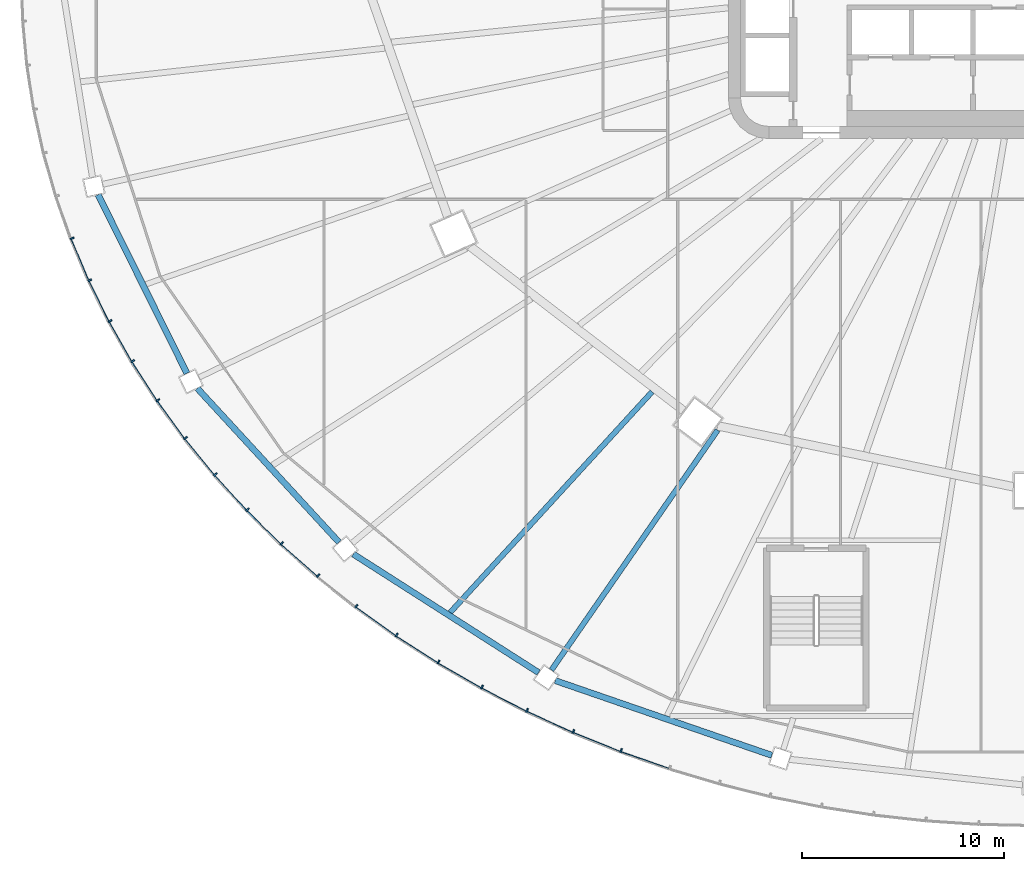
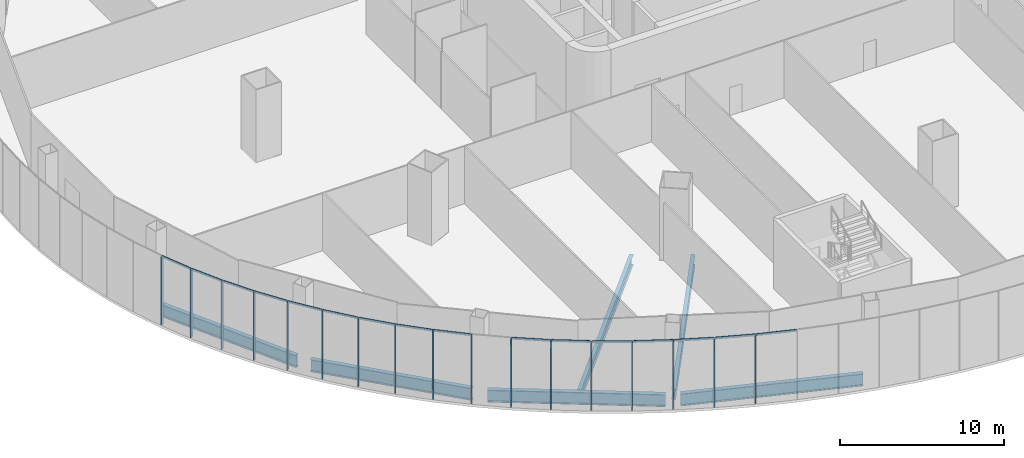
# One storey, part 2 of 42: 33 members, 6 beams, 4 elements without a shape of their own.
"""IFC4 building model written with IfcOpenShell, lengths in metres."""

from ifc_helpers import new_model, si_unit, direction, frame, origin, origin_2d, place, context, subcontext, project, spatial, rectangle, i_section, extrude, material, layer, layer_set, material_profile, profile_set, type_object, element, aggregate, save


model = new_model("IFC4")

# Units and contexts
model_context = context("Model", 3, precision=1e-05, world=origin(), true_north=direction((0.0, 1.0)))
body_context = subcontext(model_context, "Body", "Model", "MODEL_VIEW")
ifc_project = project(units=[si_unit("LENGTHUNIT", "METRE"), si_unit("AREAUNIT", "SQUARE_METRE"), si_unit("VOLUMEUNIT", "CUBIC_METRE"), si_unit("PLANEANGLEUNIT", "RADIAN"), si_unit("MASSUNIT", "GRAM", prefix="KILO")], contexts=[model_context])

# Site, building, storey
site_placement = place(None, origin())
site = spatial("IfcSite", under=ifc_project, at=site_placement, CompositionType="ELEMENT")
building_placement = place(site_placement, origin())
building = spatial("IfcBuilding", under=site, at=building_placement, Name="Sahrelin Media Tower", CompositionType="ELEMENT")
storey_placement = place(building_placement, frame((0.0, 0.0, 26.0)))
storey = spatial("IfcBuildingStorey", under=building, at=storey_placement, Name="L03", CompositionType="ELEMENT", Elevation=26.0)

# Curtain wall, members
ifc_material_1 = material(Name="Champagne anodised aluminium 6063-T6", Category="aluminium")
ifc_layer = layer(ifc_material_1, 0.14990234375)
ifc_layer_set = layer_set([ifc_layer], Name="Podium ribbon curtain wall")
curtain_wall_type = type_object("IfcCurtainWallType", Name="Podium ribbon curtain wall", PredefinedType="NOTDEFINED", material=ifc_layer_set)
curtain_wall_1_placement = place(storey_placement, frame((-48.29638671875, -10.870361328125, 0.0), z_axis=(0.0, 0.0, 1.0), x_axis=(1.0, 0.0, 0.0)))
curtain_wall_1 = element("IfcCurtainWall", 1, at=curtain_wall_1_placement, inside=storey, type_object=curtain_wall_type, Name="L03:CW:L03-P13", PredefinedType="NOTDEFINED")
ifc_material_profile_1 = material_profile(ifc_material_1, rectangle(XDim=0.080078125, YDim=0.199951171875, at=origin_2d()), Name="Mullion 80x200")
ifc_profile_set_1 = profile_set([ifc_material_profile_1], Name="Champagne anodised aluminium 6063-T6")
member_type_1 = type_object("IfcMemberType", Name="Mullion 80x200 CW5", PredefinedType="MULLION", material=ifc_profile_set_1)
member_1_placement = place(storey_placement, frame((-47.442138671875, -12.93212890625, 0.0), z_axis=(0.0, 0.0, 1.0), x_axis=(0.388450189752, -0.921469722824, 0.0)))
member_1 = element("IfcMember", 2, at=member_1_placement, type_object=member_type_1, Name="L03:CWM2:L03-P13", PredefinedType="MULLION", context=body_context, shape_type="SweptSolid", body=[
    extrude(rectangle(XDim=0.080078125, YDim=0.199951171875, at=origin_2d()), origin(), (0.0, 0.0, 1.0), 5.050048828125),
])
member_2_placement = place(storey_placement, frame((-46.5712890625, -14.998291015625, 0.0), z_axis=(0.0, 0.0, 1.0), x_axis=(0.442262079274, -0.896885864108, 0.0)))
member_2 = element("IfcMember", 3, at=member_2_placement, type_object=member_type_1, Name="L03:CWM3:L03-P13", PredefinedType="MULLION", context=body_context, shape_type="SweptSolid", body=[
    extrude(rectangle(XDim=0.080078125, YDim=0.199951171875, at=origin_2d()), origin(), (0.0, 0.0, 1.0), 5.050048828125),
])
member_3_placement = place(storey_placement, frame((-45.572998046875, -17.023681640625, 0.0), z_axis=(0.0, 0.0, 1.0), x_axis=(0.493787068155, -0.869582849028, 0.0)))
member_3 = element("IfcMember", 4, at=member_3_placement, type_object=member_type_1, Name="L03:CWM4:L03-P13", PredefinedType="MULLION", context=body_context, shape_type="SweptSolid", body=[
    extrude(rectangle(XDim=0.080078125, YDim=0.199951171875, at=origin_2d()), origin(), (0.0, 0.0, 1.0), 5.050048828125),
])
member_4_placement = place(storey_placement, frame((-44.449462890625, -19.00244140625, 0.0), z_axis=(0.0, 0.0, 1.0), x_axis=(0.542830032192, -0.839842578196, 0.0)))
member_4 = element("IfcMember", 5, at=member_4_placement, type_object=member_type_1, Name="L03:CWM5:L03-P13", PredefinedType="MULLION", context=body_context, shape_type="SweptSolid", body=[
    extrude(rectangle(XDim=0.080078125, YDim=0.199951171875, at=origin_2d()), origin(), (0.0, 0.0, 1.0), 5.050048828125),
])

curtain_wall_2_placement = place(storey_placement, frame((-43.30126953125, -21.0, 0.0), z_axis=(0.0, 0.0, 1.0), x_axis=(1.0, 0.0, 0.0)))
curtain_wall_2 = element("IfcCurtainWall", 6, at=curtain_wall_2_placement, inside=storey, type_object=curtain_wall_type, Name="L03:CW:L03-P14", PredefinedType="NOTDEFINED")
member_5_placement = place(storey_placement, frame((-43.204345703125, -20.92919921875, 0.0), z_axis=(0.0, 0.0, 1.0), x_axis=(0.589385309161, -0.807852064022, 0.0)))
member_5 = element("IfcMember", 7, at=member_5_placement, type_object=member_type_1, Name="L03:CWM1:L03-P14", PredefinedType="MULLION", context=body_context, shape_type="SweptSolid", body=[
    extrude(rectangle(XDim=0.080078125, YDim=0.199951171875, at=origin_2d()), origin(), (0.0, 0.0, 1.0), 5.050048828125),
])
member_6_placement = place(storey_placement, frame((-41.840576171875, -22.798828125, 0.0), z_axis=(0.0, 0.0, 1.0), x_axis=(0.633234995933, -0.77395958546, 0.0)))
member_6 = element("IfcMember", 8, at=member_6_placement, type_object=member_type_1, Name="L03:CWM2:L03-P14", PredefinedType="MULLION", context=body_context, shape_type="SweptSolid", body=[
    extrude(rectangle(XDim=0.080078125, YDim=0.199951171875, at=origin_2d()), origin(), (0.0, 0.0, 1.0), 5.050048828125),
])
member_7_placement = place(storey_placement, frame((-40.3623046875, -24.606201171875, 0.0), z_axis=(0.0, 0.0, 1.0), x_axis=(0.67442997344, -0.738338818514, 0.0)))
member_7 = element("IfcMember", 9, at=member_7_placement, type_object=member_type_1, Name="L03:CWM3:L03-P14", PredefinedType="MULLION", context=body_context, shape_type="SweptSolid", body=[
    extrude(rectangle(XDim=0.080078125, YDim=0.199951171875, at=origin_2d()), origin(), (0.0, 0.0, 1.0), 5.050048828125),
])
member_8_placement = place(storey_placement, frame((-38.773193359375, -26.345947265625, 0.0), z_axis=(0.0, 0.0, 1.0), x_axis=(0.712973923933, -0.70119054742, 0.0)))
member_8 = element("IfcMember", 10, at=member_8_placement, type_object=member_type_1, Name="L03:CWM4:L03-P14", PredefinedType="MULLION", context=body_context, shape_type="SweptSolid", body=[
    extrude(rectangle(XDim=0.080078125, YDim=0.199951171875, at=origin_2d()), origin(), (0.0, 0.0, 1.0), 5.050048828125),
])
member_9_placement = place(storey_placement, frame((-37.07763671875, -28.013671875, 0.0), z_axis=(0.0, 0.0, 1.0), x_axis=(0.748788005735, -0.662809567272, 0.0)))
member_9 = element("IfcMember", 11, at=member_9_placement, type_object=member_type_1, Name="L03:CWM5:L03-P14", PredefinedType="MULLION", context=body_context, shape_type="SweptSolid", body=[
    extrude(rectangle(XDim=0.080078125, YDim=0.199951171875, at=origin_2d()), origin(), (0.0, 0.0, 1.0), 5.050048828125),
])

curtain_wall_3_placement = place(storey_placement, frame((-35.355224609375, -29.698486328125, 0.0), z_axis=(0.0, 0.0, 1.0), x_axis=(1.0, 0.0, 0.0)))
curtain_wall_3 = element("IfcCurtainWall", 12, at=curtain_wall_3_placement, inside=storey, type_object=curtain_wall_type, Name="L03:CW:L03-P15", PredefinedType="NOTDEFINED")
member_10_placement = place(storey_placement, frame((-35.280517578125, -29.604736328125, 0.0), z_axis=(0.0, 0.0, 1.0), x_axis=(0.781960183728, -0.623328381405, 0.0)))
member_10 = element("IfcMember", 13, at=member_10_placement, type_object=member_type_1, Name="L03:CWM1:L03-P15", PredefinedType="MULLION", context=body_context, shape_type="SweptSolid", body=[
    extrude(rectangle(XDim=0.080078125, YDim=0.199951171875, at=origin_2d()), origin(), (0.0, 0.0, 1.0), 5.050048828125),
])
member_11_placement = place(storey_placement, frame((-33.38671875, -31.114501953125, 0.0), z_axis=(0.0, 0.0, 1.0), x_axis=(0.812532432251, -0.582915985834, 0.0)))
member_11 = element("IfcMember", 14, at=member_11_placement, type_object=member_type_1, Name="L03:CWM2:L03-P15", PredefinedType="MULLION", context=body_context, shape_type="SweptSolid", body=[
    extrude(rectangle(XDim=0.080078125, YDim=0.199951171875, at=origin_2d()), origin(), (0.0, 0.0, 1.0), 5.050048828125),
])
member_12_placement = place(storey_placement, frame((-31.40087890625, -32.539306640625, 0.0), z_axis=(0.0, 0.0, 1.0), x_axis=(0.840519327336, -0.541781561494, 0.0)))
member_12 = element("IfcMember", 15, at=member_12_placement, type_object=member_type_1, Name="L03:CWM3:L03-P15", PredefinedType="MULLION", context=body_context, shape_type="SweptSolid", body=[
    extrude(rectangle(XDim=0.080078125, YDim=0.199951171875, at=origin_2d()), origin(), (0.0, 0.0, 1.0), 5.050048828125),
])
member_13_placement = place(storey_placement, frame((-29.329345703125, -33.874755859375, 0.0), z_axis=(0.0, 0.0, 1.0), x_axis=(0.866028894422, -0.49999395399, 0.0)))
member_13 = element("IfcMember", 16, at=member_13_placement, type_object=member_type_1, Name="L03:CWM4:L03-P15", PredefinedType="MULLION", context=body_context, shape_type="SweptSolid", body=[
    extrude(rectangle(XDim=0.080078125, YDim=0.199951171875, at=origin_2d()), origin(), (0.0, 0.0, 1.0), 5.050048828125),
])
member_14_placement = place(storey_placement, frame((-27.177001953125, -35.117431640625, 0.0), z_axis=(0.0, 0.0, 1.0), x_axis=(0.889123403251, -0.457667536309, 0.0)))
member_14 = element("IfcMember", 17, at=member_14_placement, type_object=member_type_1, Name="L03:CWM5:L03-P15", PredefinedType="MULLION", context=body_context, shape_type="SweptSolid", body=[
    extrude(rectangle(XDim=0.080078125, YDim=0.199951171875, at=origin_2d()), origin(), (0.0, 0.0, 1.0), 5.050048828125),
])

curtain_wall_4_placement = place(storey_placement, frame((-25.0, -36.373046875, 0.0), z_axis=(0.0, 0.0, 1.0), x_axis=(1.0, 0.0, 0.0)))
curtain_wall_4 = element("IfcCurtainWall", 18, at=curtain_wall_4_placement, inside=storey, type_object=curtain_wall_type, Name="L03:CW:L03-P16", PredefinedType="NOTDEFINED")
member_15_placement = place(storey_placement, frame((-24.9501953125, -36.263916015625, 0.0), z_axis=(0.0, 0.0, 1.0), x_axis=(0.909841810065, -0.414955275491, 0.0)))
member_15 = element("IfcMember", 19, at=member_15_placement, type_object=member_type_1, Name="L03:CWM1:L03-P16", PredefinedType="MULLION", context=body_context, shape_type="SweptSolid", body=[
    extrude(rectangle(XDim=0.080078125, YDim=0.199951171875, at=origin_2d()), origin(), (0.0, 0.0, 1.0), 5.050048828125),
])
member_16_placement = place(storey_placement, frame((-22.65478515625, -37.310791015625, 0.0), z_axis=(0.0, 0.0, 1.0), x_axis=(0.928270482181, -0.371905783648, 0.0)))
member_16 = element("IfcMember", 20, at=member_16_placement, type_object=member_type_1, Name="L03:CWM2:L03-P16", PredefinedType="MULLION", context=body_context, shape_type="SweptSolid", body=[
    extrude(rectangle(XDim=0.080078125, YDim=0.199951171875, at=origin_2d()), origin(), (0.0, 0.0, 1.0), 5.050048828125),
])
member_17_placement = place(storey_placement, frame((-20.29736328125, -38.255615234375, 0.0), z_axis=(0.0, 0.0, 1.0), x_axis=(0.944458420046, -0.328630937077, 0.0)))
member_17 = element("IfcMember", 21, at=member_17_placement, type_object=member_type_1, Name="L03:CWM3:L03-P16", PredefinedType="MULLION", context=body_context, shape_type="SweptSolid", body=[
    extrude(rectangle(XDim=0.080078125, YDim=0.199951171875, at=origin_2d()), origin(), (0.0, 0.0, 1.0), 5.050048828125),
])

# Beams
ifc_material_2 = material(Name="Steel S355", Category="steel")
ifc_material_profile_2 = material_profile(ifc_material_2, i_section(OverallWidth=0.30322265625, OverallDepth=0.903076171875, WebThickness=0.01513671875, FlangeThickness=0.020263671875, FilletRadius=0.01904296875, at=origin_2d()), Name="UB 914x305x201")
ifc_profile_set_2 = profile_set([ifc_material_profile_2], Name="Steel S355")
beam_type_1 = type_object("IfcBeamType", Name="Podium edge girder PE11", PredefinedType="BEAM", material=ifc_profile_set_2)
beam_1_placement = place(storey_placement, frame((-46.158203125, -10.767822265625, -0.651611328125), z_axis=(0.445112588569, -0.895474613541, 0.0), x_axis=(0.895474613541, 0.445112588569, 0.0)))
element("IfcBeam", 22, at=beam_1_placement, inside=storey, type_object=beam_type_1, Name="Podium edge girder L03-14", PredefinedType="BEAM", context=body_context, shape_type="SweptSolid", body=[
    extrude(i_section(OverallWidth=0.30322265625, OverallDepth=0.903076171875, WebThickness=0.01513671875, FlangeThickness=0.020263671875, FilletRadius=0.01904296875, at=origin_2d()), origin(), (0.0, 0.0, 1.0), 9.859619140625),
])
beam_2_placement = place(storey_placement, frame((-41.25048828125, -20.34619140625, -0.651611328125), z_axis=(0.677370529771, -0.735642008995, 0.0), x_axis=(0.735642008995, 0.677370529771, 0.0)))
element("IfcBeam", 23, at=beam_2_placement, inside=storey, type_object=beam_type_1, Name="Podium edge girder L03-15", PredefinedType="BEAM", context=body_context, shape_type="SweptSolid", body=[
    extrude(i_section(OverallWidth=0.30322265625, OverallDepth=0.903076171875, WebThickness=0.01513671875, FlangeThickness=0.020263671875, FilletRadius=0.01904296875, at=origin_2d()), origin(), (0.0, 0.0, 1.0), 10.340087890625),
])
beam_3_placement = place(storey_placement, frame((-33.54345703125, -28.53857421875, -0.651611328125), z_axis=(0.842485743715, -0.538718638657, 0.0), x_axis=(0.538718638657, 0.842485743715, 0.0)))
element("IfcBeam", 24, at=beam_3_placement, inside=storey, type_object=beam_type_1, Name="Podium edge girder L03-16", PredefinedType="BEAM", context=body_context, shape_type="SweptSolid", body=[
    extrude(i_section(OverallWidth=0.30322265625, OverallDepth=0.903076171875, WebThickness=0.01513671875, FlangeThickness=0.020263671875, FilletRadius=0.01904296875, at=origin_2d()), origin(), (0.0, 0.0, 1.0), 10.87744140625),
])
beam_4_placement = place(storey_placement, frame((-23.55810546875, -34.79345703125, -0.651611328125), z_axis=(0.94527240249, -0.32628221694, 0.0), x_axis=(0.32628221694, 0.94527240249, 0.0)))
element("IfcBeam", 25, at=beam_4_placement, inside=storey, type_object=beam_type_1, Name="Podium edge girder L03-17", PredefinedType="BEAM", context=body_context, shape_type="SweptSolid", body=[
    extrude(i_section(OverallWidth=0.30322265625, OverallDepth=0.903076171875, WebThickness=0.01513671875, FlangeThickness=0.020263671875, FilletRadius=0.01904296875, at=origin_2d()), origin(), (0.0, 0.0, 1.0), 11.329345703125),
])
ifc_material_profile_3 = material_profile(ifc_material_2, i_section(OverallWidth=0.26513671875, OverallDepth=0.75390625, WebThickness=0.0126953125, FlangeThickness=0.017578125, FilletRadius=0.0166015625, at=origin_2d()), Name="UB 762x267x147")
ifc_profile_set_3 = profile_set([ifc_material_profile_3], Name="Steel S355")
beam_type_2 = type_object("IfcBeamType", Name="Radial primary beam PB9", PredefinedType="BEAM", material=ifc_profile_set_3)
beam_5_placement = place(storey_placement, frame((-15.527099609375, -22.411376953125, -0.576904296875), z_axis=(-0.569493278726, -0.821995988729, 0.0), x_axis=(0.821995988729, -0.569493278726, 0.0)))
element("IfcBeam", 26, at=beam_5_placement, inside=storey, type_object=beam_type_2, Name="Radial beam L03-19", PredefinedType="BEAM", context=body_context, shape_type="SweptSolid", body=[
    extrude(i_section(OverallWidth=0.26513671875, OverallDepth=0.75390625, WebThickness=0.0126953125, FlangeThickness=0.017578125, FilletRadius=0.0166015625, at=origin_2d()), origin(), (0.0, 0.0, 1.0), 14.427734375),
])
ifc_material_profile_4 = material_profile(ifc_material_2, i_section(OverallWidth=0.26513671875, OverallDepth=0.75390625, WebThickness=0.0126953125, FlangeThickness=0.017578125, FilletRadius=0.0166015625, at=origin_2d()), Name="UB 762x267x147")
ifc_profile_set_4 = profile_set([ifc_material_profile_4], Name="Steel S355")
beam_type_3 = type_object("IfcBeamType", Name="Radial secondary beam SB9", PredefinedType="BEAM", material=ifc_profile_set_4)
beam_6_placement = place(storey_placement, frame((-18.7685546875, -20.514892578125, -0.576904296875), z_axis=(-0.675004282666, -0.737813810106, 0.0), x_axis=(0.737813810106, -0.675004282666, 0.0)))
element("IfcBeam", 27, at=beam_6_placement, inside=storey, type_object=beam_type_3, Name="Secondary beam L03-16", PredefinedType="BEAM", context=body_context, shape_type="SweptSolid", body=[
    extrude(i_section(OverallWidth=0.26513671875, OverallDepth=0.75390625, WebThickness=0.0126953125, FlangeThickness=0.017578125, FilletRadius=0.0166015625, at=origin_2d()), origin(), (0.0, 0.0, 1.0), 14.7861328125),
])

# Member
ifc_material_profile_5 = material_profile(ifc_material_1, rectangle(XDim=0.06005859375, YDim=0.14990234375, at=origin_2d()), Name="Transom 60x150")
ifc_profile_set_5 = profile_set([ifc_material_profile_5], Name="Champagne anodised aluminium 6063-T6")
member_type_2 = type_object("IfcMemberType", Name="Transom 60x150 CW5", PredefinedType="USERDEFINED", material=ifc_profile_set_5)
member_18_placement = place(storey_placement, frame((-47.4873046875, -13.00537109375, 5.125), z_axis=(0.388513504785, -0.921443029492, 0.0), x_axis=(0.921443029492, 0.388513504785, 0.0)))
member_18 = element("IfcMember", 28, at=member_18_placement, type_object=member_type_2, Name="L03:CWT2a:L03-P13", ObjectType="TRANSOM", PredefinedType="USERDEFINED", context=body_context, shape_type="SweptSolid", body=[
    extrude(rectangle(XDim=0.06005859375, YDim=0.14990234375, at=origin_2d()), origin(), (0.0, 0.0, 1.0), 2.199462890625),
])

member_19_placement = place(storey_placement, frame((-46.612060546875, -15.07421875, 5.125), z_axis=(0.442224467513, -0.896904409808, 0.0), x_axis=(0.896904409808, 0.442224467513, 0.0)))
member_19 = element("IfcMember", 29, at=member_19_placement, type_object=member_type_2, Name="L03:CWT3a:L03-P13", ObjectType="TRANSOM", PredefinedType="USERDEFINED", context=body_context, shape_type="SweptSolid", body=[
    extrude(rectangle(XDim=0.06005859375, YDim=0.14990234375, at=origin_2d()), origin(), (0.0, 0.0, 1.0), 2.21484375),
])

member_20_placement = place(storey_placement, frame((-45.609130859375, -17.101806640625, 5.125), z_axis=(0.493793305481, -0.869579307172, 0.0), x_axis=(0.869579307172, 0.493793305481, 0.0)))
member_20 = element("IfcMember", 30, at=member_20_placement, type_object=member_type_2, Name="L03:CWT4a:L03-P13", ObjectType="TRANSOM", PredefinedType="USERDEFINED", context=body_context, shape_type="SweptSolid", body=[
    extrude(rectangle(XDim=0.06005859375, YDim=0.14990234375, at=origin_2d()), origin(), (0.0, 0.0, 1.0), 2.232421875),
])

member_21_placement = place(storey_placement, frame((-44.481201171875, -19.08251953125, 5.125), z_axis=(0.542855461476, -0.8398261415, 0.0), x_axis=(0.8398261415, 0.542855461476, 0.0)))
member_21 = element("IfcMember", 31, at=member_21_placement, type_object=member_type_2, Name="L03:CWT5a:L03-P13", ObjectType="TRANSOM", PredefinedType="USERDEFINED", context=body_context, shape_type="SweptSolid", body=[
    extrude(rectangle(XDim=0.06005859375, YDim=0.14990234375, at=origin_2d()), origin(), (0.0, 0.0, 1.0), 2.2509765625),
])

aggregate(curtain_wall_1, [member_1, member_18, member_2, member_19, member_3, member_20, member_4, member_21])

member_22_placement = place(storey_placement, frame((-43.2314453125, -21.010986328125, 5.125), z_axis=(0.589436833423, -0.807814470906, 0.0), x_axis=(0.807814470906, 0.589436833423, 0.0)))
member_22 = element("IfcMember", 32, at=member_22_placement, type_object=member_type_2, Name="L03:CWT1a:L03-P14", ObjectType="TRANSOM", PredefinedType="USERDEFINED", context=body_context, shape_type="SweptSolid", body=[
    extrude(rectangle(XDim=0.06005859375, YDim=0.14990234375, at=origin_2d()), origin(), (0.0, 0.0, 1.0), 2.2705078125),
])

member_23_placement = place(storey_placement, frame((-41.863037109375, -22.8818359375, 5.125), z_axis=(0.633220383586, -0.773971540698, 0.0), x_axis=(0.773971540698, 0.633220383586, 0.0)))
member_23 = element("IfcMember", 33, at=member_23_placement, type_object=member_type_2, Name="L03:CWT2a:L03-P14", ObjectType="TRANSOM", PredefinedType="USERDEFINED", context=body_context, shape_type="SweptSolid", body=[
    extrude(rectangle(XDim=0.06005859375, YDim=0.14990234375, at=origin_2d()), origin(), (0.0, 0.0, 1.0), 2.291259765625),
])

member_24_placement = place(storey_placement, frame((-40.380126953125, -24.690185546875, 5.125), z_axis=(0.674452068042, -0.738318635762, 0.0), x_axis=(0.738318635762, 0.674452068042, 0.0)))
member_24 = element("IfcMember", 34, at=member_24_placement, type_object=member_type_2, Name="L03:CWT3a:L03-P14", ObjectType="TRANSOM", PredefinedType="USERDEFINED", context=body_context, shape_type="SweptSolid", body=[
    extrude(rectangle(XDim=0.06005859375, YDim=0.14990234375, at=origin_2d()), origin(), (0.0, 0.0, 1.0), 2.312744140625),
])

member_25_placement = place(storey_placement, frame((-38.78662109375, -26.430908203125, 5.125), z_axis=(0.712990568358, -0.701173622887, 0.0), x_axis=(0.701173622887, 0.712990568358, 0.0)))
member_25 = element("IfcMember", 35, at=member_25_placement, type_object=member_type_2, Name="L03:CWT4a:L03-P14", ObjectType="TRANSOM", PredefinedType="USERDEFINED", context=body_context, shape_type="SweptSolid", body=[
    extrude(rectangle(XDim=0.06005859375, YDim=0.14990234375, at=origin_2d()), origin(), (0.0, 0.0, 1.0), 2.334716796875),
])

member_26_placement = place(storey_placement, frame((-37.086669921875, -28.09912109375, 5.125), z_axis=(0.74874536596, -0.662857735078, 0.0), x_axis=(0.662857735078, 0.74874536596, 0.0)))
member_26 = element("IfcMember", 36, at=member_26_placement, type_object=member_type_2, Name="L03:CWT5a:L03-P14", ObjectType="TRANSOM", PredefinedType="USERDEFINED", context=body_context, shape_type="SweptSolid", body=[
    extrude(rectangle(XDim=0.06005859375, YDim=0.14990234375, at=origin_2d()), origin(), (0.0, 0.0, 1.0), 2.3564453125),
])

aggregate(curtain_wall_2, [member_5, member_22, member_6, member_23, member_7, member_24, member_8, member_25, member_9, member_26])

member_27_placement = place(storey_placement, frame((-33.38671875, -31.20068359375, 5.125), z_axis=(0.812494250999, -0.582969203384, 0.0), x_axis=(0.582969203384, 0.812494250999, 0.0)))
member_27 = element("IfcMember", 37, at=member_27_placement, type_object=member_type_2, Name="L03:CWT2a:L03-P15", ObjectType="TRANSOM", PredefinedType="USERDEFINED", context=body_context, shape_type="SweptSolid", body=[
    extrude(rectangle(XDim=0.06005859375, YDim=0.14990234375, at=origin_2d()), origin(), (0.0, 0.0, 1.0), 2.399658203125),
])

member_28_placement = place(storey_placement, frame((-31.39697265625, -32.625244140625, 5.125), z_axis=(0.840515923585, -0.541786842033, 0.0), x_axis=(0.541786842033, 0.840515923585, 0.0)))
member_28 = element("IfcMember", 38, at=member_28_placement, type_object=member_type_2, Name="L03:CWT3a:L03-P15", ObjectType="TRANSOM", PredefinedType="USERDEFINED", context=body_context, shape_type="SweptSolid", body=[
    extrude(rectangle(XDim=0.06005859375, YDim=0.14990234375, at=origin_2d()), origin(), (0.0, 0.0, 1.0), 2.420654296875),
])

member_29_placement = place(storey_placement, frame((-29.321044921875, -33.96044921875, 5.125), z_axis=(0.866037355757, -0.499979298005, 0.0), x_axis=(0.499979298005, 0.866037355757, 0.0)))
member_29 = element("IfcMember", 39, at=member_29_placement, type_object=member_type_2, Name="L03:CWT4a:L03-P15", ObjectType="TRANSOM", PredefinedType="USERDEFINED", context=body_context, shape_type="SweptSolid", body=[
    extrude(rectangle(XDim=0.06005859375, YDim=0.14990234375, at=origin_2d()), origin(), (0.0, 0.0, 1.0), 2.44091796875),
])

member_30_placement = place(storey_placement, frame((-27.164794921875, -35.20263671875, 5.125), z_axis=(0.889147091366, -0.457621513824, 0.0), x_axis=(0.457621513824, 0.889147091366, 0.0)))
member_30 = element("IfcMember", 40, at=member_30_placement, type_object=member_type_2, Name="L03:CWT5a:L03-P15", ObjectType="TRANSOM", PredefinedType="USERDEFINED", context=body_context, shape_type="SweptSolid", body=[
    extrude(rectangle(XDim=0.06005859375, YDim=0.14990234375, at=origin_2d()), origin(), (0.0, 0.0, 1.0), 2.46044921875),
])

aggregate(curtain_wall_3, [member_10, member_11, member_27, member_12, member_28, member_13, member_29, member_14, member_30])

member_31_placement = place(storey_placement, frame((-24.933837890625, -36.348388671875, 5.125), z_axis=(0.909869936632, -0.414893598906, 0.0), x_axis=(0.414893598906, 0.909869936632, 0.0)))
member_31 = element("IfcMember", 41, at=member_31_placement, type_object=member_type_2, Name="L03:CWT1a:L03-P16", ObjectType="TRANSOM", PredefinedType="USERDEFINED", context=body_context, shape_type="SweptSolid", body=[
    extrude(rectangle(XDim=0.06005859375, YDim=0.14990234375, at=origin_2d()), origin(), (0.0, 0.0, 1.0), 2.478515625),
])

member_32_placement = place(storey_placement, frame((-22.634521484375, -37.39453125, 5.125), z_axis=(0.928280887293, -0.371879811615, 0.0), x_axis=(0.371879811615, 0.928280887293, 0.0)))
member_32 = element("IfcMember", 42, at=member_32_placement, type_object=member_type_2, Name="L03:CWT2a:L03-P16", ObjectType="TRANSOM", PredefinedType="USERDEFINED", context=body_context, shape_type="SweptSolid", body=[
    extrude(rectangle(XDim=0.06005859375, YDim=0.14990234375, at=origin_2d()), origin(), (0.0, 0.0, 1.0), 2.495361328125),
])

member_33_placement = place(storey_placement, frame((-20.273193359375, -38.338134765625, 5.125), z_axis=(0.944469242615, -0.328599832248, 0.0), x_axis=(0.328599832248, 0.944469242615, 0.0)))
member_33 = element("IfcMember", 43, at=member_33_placement, type_object=member_type_2, Name="L03:CWT3a:L03-P16", ObjectType="TRANSOM", PredefinedType="USERDEFINED", context=body_context, shape_type="SweptSolid", body=[
    extrude(rectangle(XDim=0.06005859375, YDim=0.14990234375, at=origin_2d()), origin(), (0.0, 0.0, 1.0), 2.510498046875),
])

aggregate(curtain_wall_4, [member_15, member_31, member_16, member_32, member_17, member_33])

save(model, "model.ifc")
